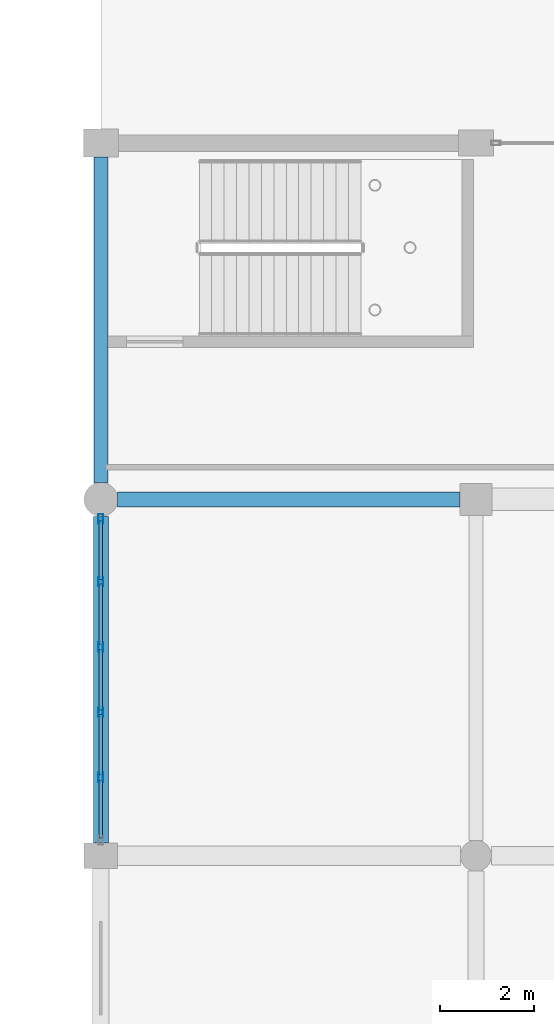
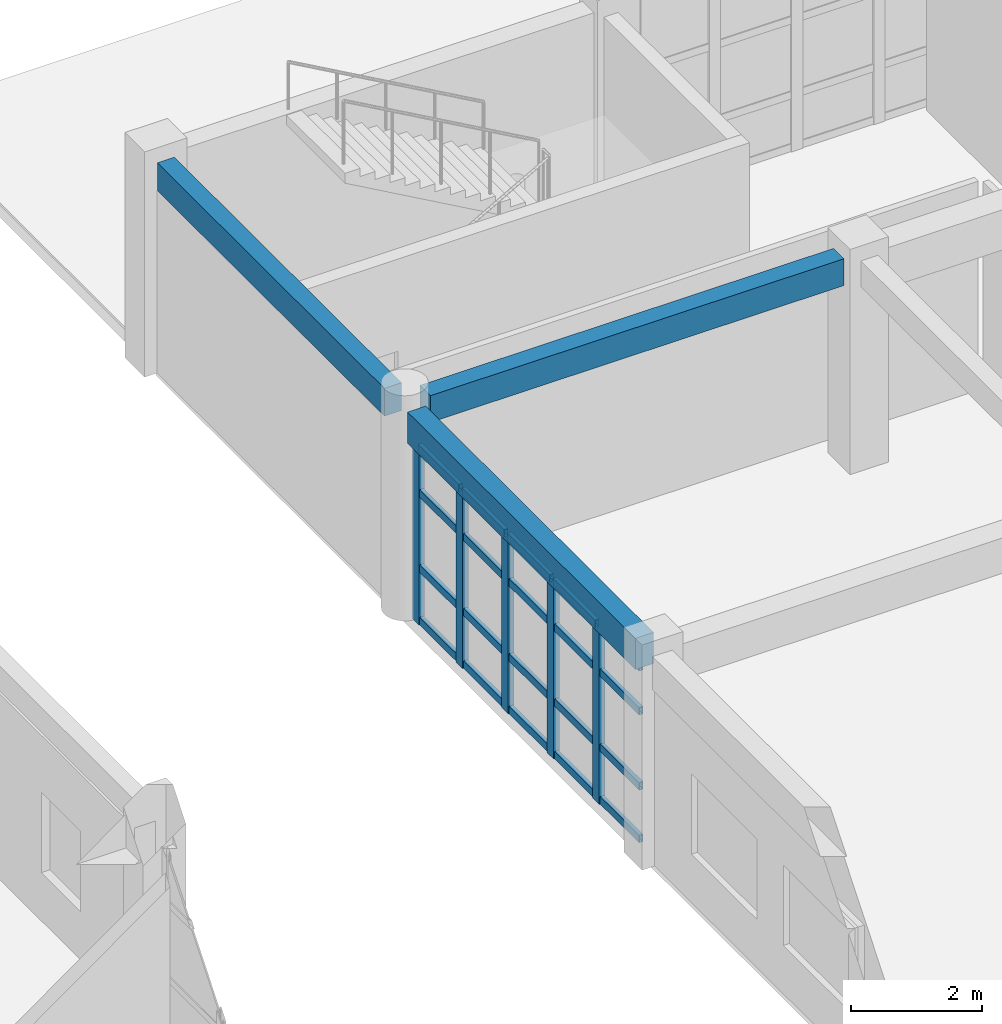
# One storey, part 81 of 195: 25 members, 3 beams, 1 element without a shape of its own.
"""IFC4 building model written with IfcOpenShell, lengths in metres."""

from ifc_helpers import new_model, si_unit, direction, frame, origin, origin_2d, place, context, subcontext, project, spatial, rectangle, hollow_rectangle, extrude, material, material_profile, profile_set, type_object, element, aggregate, save


model = new_model("IFC4")

# Units and contexts
model_context = context("Model", 3, precision=1e-05, world=origin(), true_north=direction((0.0, 1.0)))
body_context = subcontext(model_context, "Body", "Model", "MODEL_VIEW")
ifc_project = project(units=[si_unit("LENGTHUNIT", "METRE"), si_unit("AREAUNIT", "SQUARE_METRE"), si_unit("VOLUMEUNIT", "CUBIC_METRE"), si_unit("PLANEANGLEUNIT", "RADIAN"), si_unit("MASSUNIT", "GRAM", prefix="KILO")], contexts=[model_context])

# Site, building, storey
site_placement = place(None, origin())
site = spatial("IfcSite", under=ifc_project, at=site_placement, CompositionType="ELEMENT")
building_placement = place(site_placement, origin())
building = spatial("IfcBuilding", under=site, at=building_placement, Name="Kharva Crest Polytechnic", CompositionType="ELEMENT")
storey_placement = place(building_placement, frame((0.0, 0.0, 9.0)))
storey = spatial("IfcBuildingStorey", under=building, at=storey_placement, Name="L02", CompositionType="ELEMENT", Elevation=9.0)

# Beam
ifc_material_1 = material(Name="Concrete C35/45", Category="concrete")
ifc_material_profile_1 = material_profile(ifc_material_1, rectangle(XDim=0.320068359375, YDim=0.5, at=origin_2d()), Name="RECT 320 X 500")
ifc_profile_set_1 = profile_set([ifc_material_profile_1], Name="Concrete C35/45")
beam_type_1 = type_object("IfcBeamType", Name="BM-RC-320X500", PredefinedType="BEAM", material=ifc_profile_set_1)
beam_1_placement = place(storey_placement, frame((121.159912109375, 22.800048828125, 3.669921875), z_axis=(1.0, 0.0, 0.0), x_axis=(0.0, 1.0, 0.0)))
element("IfcBeam", 1, at=beam_1_placement, inside=storey, type_object=beam_type_1, Name="L02 Beam D/16J-17", PredefinedType="BEAM", context=body_context, shape_type="SweptSolid", body=[
    extrude(rectangle(XDim=0.320068359375, YDim=0.5, at=origin_2d()), origin(), (0.0, 0.0, 1.0), 7.300048828125),
])

# Curtain wall, members
ifc_material_2 = material(Name="Tempered insulated glass", Category="glass")
curtain_wall_type = type_object("IfcCurtainWallType", Name="CW-SYS-REFECTORY", PredefinedType="USERDEFINED", material=ifc_material_2)
curtain_wall_placement = place(storey_placement, origin())
curtain_wall = element("IfcCurtainWall", 2, at=curtain_wall_placement, inside=storey, type_object=curtain_wall_type, Name="L02 Glazed Curtain Wall CW-092", ObjectType="CURTAIN WALL", PredefinedType="USERDEFINED")
ifc_material_3 = material(Name="Steel S355", Category="steel")
ifc_material_profile_2 = material_profile(ifc_material_3, hollow_rectangle(XDim=0.10009765625, YDim=0.199951171875, WallThickness=0.00634765625, at=origin_2d()), Name="RHS 200X100X6.3")
ifc_profile_set_2 = profile_set([ifc_material_profile_2], Name="Steel S355")
member_type_1 = type_object("IfcMemberType", Name="CWM-RHS200X100", PredefinedType="MULLION", material=ifc_profile_set_2)
member_1_placement = place(storey_placement, frame((120.800048828125, 22.385009765625, 0.0), z_axis=(0.0, 0.0, 1.0), x_axis=(1.0, 0.0, 0.0)))
member_1 = element("IfcMember", 3, at=member_1_placement, type_object=member_type_1, Name="CW-092 mullion 1", PredefinedType="MULLION", context=body_context, shape_type="SweptSolid", body=[
    extrude(hollow_rectangle(XDim=0.10009765625, YDim=0.199951171875, WallThickness=0.00634765625, at=origin_2d()), origin(), (0.0, 0.0, 1.0), 3.340087890625),
])
member_2_placement = place(storey_placement, frame((120.800048828125, 21.0439453125, 0.0), z_axis=(0.0, 0.0, 1.0), x_axis=(1.0, 0.0, 0.0)))
member_2 = element("IfcMember", 4, at=member_2_placement, type_object=member_type_1, Name="CW-092 mullion 2", PredefinedType="MULLION", context=body_context, shape_type="SweptSolid", body=[
    extrude(hollow_rectangle(XDim=0.10009765625, YDim=0.199951171875, WallThickness=0.00634765625, at=origin_2d()), origin(), (0.0, 0.0, 1.0), 3.340087890625),
])
member_3_placement = place(storey_placement, frame((120.800048828125, 19.653076171875, 0.0), z_axis=(0.0, 0.0, 1.0), x_axis=(1.0, 0.0, 0.0)))
member_3 = element("IfcMember", 5, at=member_3_placement, type_object=member_type_1, Name="CW-092 mullion 3", PredefinedType="MULLION", context=body_context, shape_type="SweptSolid", body=[
    extrude(hollow_rectangle(XDim=0.10009765625, YDim=0.199951171875, WallThickness=0.00634765625, at=origin_2d()), origin(), (0.0, 0.0, 1.0), 3.340087890625),
])
member_4_placement = place(storey_placement, frame((120.800048828125, 18.261962890625, 0.0), z_axis=(0.0, 0.0, 1.0), x_axis=(1.0, 0.0, 0.0)))
member_4 = element("IfcMember", 6, at=member_4_placement, type_object=member_type_1, Name="CW-092 mullion 4", PredefinedType="MULLION", context=body_context, shape_type="SweptSolid", body=[
    extrude(hollow_rectangle(XDim=0.10009765625, YDim=0.199951171875, WallThickness=0.00634765625, at=origin_2d()), origin(), (0.0, 0.0, 1.0), 3.340087890625),
])
member_5_placement = place(storey_placement, frame((120.800048828125, 16.87109375, 0.0), z_axis=(0.0, 0.0, 1.0), x_axis=(1.0, 0.0, 0.0)))
member_5 = element("IfcMember", 7, at=member_5_placement, type_object=member_type_1, Name="CW-092 mullion 5", PredefinedType="MULLION", context=body_context, shape_type="SweptSolid", body=[
    extrude(hollow_rectangle(XDim=0.10009765625, YDim=0.199951171875, WallThickness=0.00634765625, at=origin_2d()), origin(), (0.0, 0.0, 1.0), 3.340087890625),
])
ifc_material_profile_3 = material_profile(ifc_material_3, hollow_rectangle(XDim=0.070068359375, YDim=0.139892578125, WallThickness=0.00390625, at=origin_2d()), Name="RHS 140X70X4.0")
ifc_profile_set_3 = profile_set([ifc_material_profile_3], Name="Steel S355")
member_type_2 = type_object("IfcMemberType", Name="CWT-RHS140X70", PredefinedType="USERDEFINED", material=ifc_profile_set_3)
member_6_placement = place(storey_placement, frame((120.800048828125, 22.3349609375, 0.070068359375), z_axis=(0.0, -1.0, 0.0), x_axis=(1.0, 0.0, 0.0)))
member_6 = element("IfcMember", 8, at=member_6_placement, type_object=member_type_2, Name="CW-092 transom 1.1", ObjectType="TRANSOM", PredefinedType="USERDEFINED", context=body_context, shape_type="SweptSolid", body=[
    extrude(hollow_rectangle(XDim=0.070068359375, YDim=0.139892578125, WallThickness=0.00390625, at=origin_2d()), origin(), (0.0, 0.0, 1.0), 1.240966796875),
])
member_7_placement = place(storey_placement, frame((120.800048828125, 22.3349609375, 1.050048828125), z_axis=(0.0, -1.0, 0.0), x_axis=(1.0, 0.0, 0.0)))
member_7 = element("IfcMember", 9, at=member_7_placement, type_object=member_type_2, Name="CW-092 transom 1.2", ObjectType="TRANSOM", PredefinedType="USERDEFINED", context=body_context, shape_type="SweptSolid", body=[
    extrude(hollow_rectangle(XDim=0.070068359375, YDim=0.139892578125, WallThickness=0.00390625, at=origin_2d()), origin(), (0.0, 0.0, 1.0), 1.240966796875),
])
member_8_placement = place(storey_placement, frame((120.800048828125, 22.3349609375, 2.449951171875), z_axis=(0.0, -1.0, 0.0), x_axis=(1.0, 0.0, 0.0)))
member_8 = element("IfcMember", 10, at=member_8_placement, type_object=member_type_2, Name="CW-092 transom 1.3", ObjectType="TRANSOM", PredefinedType="USERDEFINED", context=body_context, shape_type="SweptSolid", body=[
    extrude(hollow_rectangle(XDim=0.070068359375, YDim=0.139892578125, WallThickness=0.00390625, at=origin_2d()), origin(), (0.0, 0.0, 1.0), 1.240966796875),
])
member_9_placement = place(storey_placement, frame((120.800048828125, 22.3349609375, 3.27001953125), z_axis=(0.0, -1.0, 0.0), x_axis=(1.0, 0.0, 0.0)))
member_9 = element("IfcMember", 11, at=member_9_placement, type_object=member_type_2, Name="CW-092 transom 1.4", ObjectType="TRANSOM", PredefinedType="USERDEFINED", context=body_context, shape_type="SweptSolid", body=[
    extrude(hollow_rectangle(XDim=0.070068359375, YDim=0.139892578125, WallThickness=0.00390625, at=origin_2d()), origin(), (0.0, 0.0, 1.0), 1.240966796875),
])
member_10_placement = place(storey_placement, frame((120.800048828125, 20.993896484375, 0.070068359375), z_axis=(0.0, -1.0, 0.0), x_axis=(1.0, 0.0, 0.0)))
member_10 = element("IfcMember", 12, at=member_10_placement, type_object=member_type_2, Name="CW-092 transom 2.1", ObjectType="TRANSOM", PredefinedType="USERDEFINED", context=body_context, shape_type="SweptSolid", body=[
    extrude(hollow_rectangle(XDim=0.070068359375, YDim=0.139892578125, WallThickness=0.00390625, at=origin_2d()), origin(), (0.0, 0.0, 1.0), 1.291015625),
])
member_11_placement = place(storey_placement, frame((120.800048828125, 20.993896484375, 1.050048828125), z_axis=(0.0, -1.0, 0.0), x_axis=(1.0, 0.0, 0.0)))
member_11 = element("IfcMember", 13, at=member_11_placement, type_object=member_type_2, Name="CW-092 transom 2.2", ObjectType="TRANSOM", PredefinedType="USERDEFINED", context=body_context, shape_type="SweptSolid", body=[
    extrude(hollow_rectangle(XDim=0.070068359375, YDim=0.139892578125, WallThickness=0.00390625, at=origin_2d()), origin(), (0.0, 0.0, 1.0), 1.291015625),
])
member_12_placement = place(storey_placement, frame((120.800048828125, 20.993896484375, 2.449951171875), z_axis=(0.0, -1.0, 0.0), x_axis=(1.0, 0.0, 0.0)))
member_12 = element("IfcMember", 14, at=member_12_placement, type_object=member_type_2, Name="CW-092 transom 2.3", ObjectType="TRANSOM", PredefinedType="USERDEFINED", context=body_context, shape_type="SweptSolid", body=[
    extrude(hollow_rectangle(XDim=0.070068359375, YDim=0.139892578125, WallThickness=0.00390625, at=origin_2d()), origin(), (0.0, 0.0, 1.0), 1.291015625),
])
member_13_placement = place(storey_placement, frame((120.800048828125, 20.993896484375, 3.27001953125), z_axis=(0.0, -1.0, 0.0), x_axis=(1.0, 0.0, 0.0)))
member_13 = element("IfcMember", 15, at=member_13_placement, type_object=member_type_2, Name="CW-092 transom 2.4", ObjectType="TRANSOM", PredefinedType="USERDEFINED", context=body_context, shape_type="SweptSolid", body=[
    extrude(hollow_rectangle(XDim=0.070068359375, YDim=0.139892578125, WallThickness=0.00390625, at=origin_2d()), origin(), (0.0, 0.0, 1.0), 1.291015625),
])
member_14_placement = place(storey_placement, frame((120.800048828125, 19.60302734375, 0.070068359375), z_axis=(0.0, -1.0, 0.0), x_axis=(1.0, 0.0, 0.0)))
member_14 = element("IfcMember", 16, at=member_14_placement, type_object=member_type_2, Name="CW-092 transom 3.1", ObjectType="TRANSOM", PredefinedType="USERDEFINED", context=body_context, shape_type="SweptSolid", body=[
    extrude(hollow_rectangle(XDim=0.070068359375, YDim=0.139892578125, WallThickness=0.00390625, at=origin_2d()), origin(), (0.0, 0.0, 1.0), 1.291015625),
])
member_15_placement = place(storey_placement, frame((120.800048828125, 19.60302734375, 1.050048828125), z_axis=(0.0, -1.0, 0.0), x_axis=(1.0, 0.0, 0.0)))
member_15 = element("IfcMember", 17, at=member_15_placement, type_object=member_type_2, Name="CW-092 transom 3.2", ObjectType="TRANSOM", PredefinedType="USERDEFINED", context=body_context, shape_type="SweptSolid", body=[
    extrude(hollow_rectangle(XDim=0.070068359375, YDim=0.139892578125, WallThickness=0.00390625, at=origin_2d()), origin(), (0.0, 0.0, 1.0), 1.291015625),
])
member_16_placement = place(storey_placement, frame((120.800048828125, 19.60302734375, 2.449951171875), z_axis=(0.0, -1.0, 0.0), x_axis=(1.0, 0.0, 0.0)))
member_16 = element("IfcMember", 18, at=member_16_placement, type_object=member_type_2, Name="CW-092 transom 3.3", ObjectType="TRANSOM", PredefinedType="USERDEFINED", context=body_context, shape_type="SweptSolid", body=[
    extrude(hollow_rectangle(XDim=0.070068359375, YDim=0.139892578125, WallThickness=0.00390625, at=origin_2d()), origin(), (0.0, 0.0, 1.0), 1.291015625),
])
member_17_placement = place(storey_placement, frame((120.800048828125, 19.60302734375, 3.27001953125), z_axis=(0.0, -1.0, 0.0), x_axis=(1.0, 0.0, 0.0)))
member_17 = element("IfcMember", 19, at=member_17_placement, type_object=member_type_2, Name="CW-092 transom 3.4", ObjectType="TRANSOM", PredefinedType="USERDEFINED", context=body_context, shape_type="SweptSolid", body=[
    extrude(hollow_rectangle(XDim=0.070068359375, YDim=0.139892578125, WallThickness=0.00390625, at=origin_2d()), origin(), (0.0, 0.0, 1.0), 1.291015625),
])
member_18_placement = place(storey_placement, frame((120.800048828125, 18.2119140625, 0.070068359375), z_axis=(0.0, -1.0, 0.0), x_axis=(1.0, 0.0, 0.0)))
member_18 = element("IfcMember", 20, at=member_18_placement, type_object=member_type_2, Name="CW-092 transom 4.1", ObjectType="TRANSOM", PredefinedType="USERDEFINED", context=body_context, shape_type="SweptSolid", body=[
    extrude(hollow_rectangle(XDim=0.070068359375, YDim=0.139892578125, WallThickness=0.00390625, at=origin_2d()), origin(), (0.0, 0.0, 1.0), 1.291015625),
])
member_19_placement = place(storey_placement, frame((120.800048828125, 18.2119140625, 1.050048828125), z_axis=(0.0, -1.0, 0.0), x_axis=(1.0, 0.0, 0.0)))
member_19 = element("IfcMember", 21, at=member_19_placement, type_object=member_type_2, Name="CW-092 transom 4.2", ObjectType="TRANSOM", PredefinedType="USERDEFINED", context=body_context, shape_type="SweptSolid", body=[
    extrude(hollow_rectangle(XDim=0.070068359375, YDim=0.139892578125, WallThickness=0.00390625, at=origin_2d()), origin(), (0.0, 0.0, 1.0), 1.291015625),
])
member_20_placement = place(storey_placement, frame((120.800048828125, 18.2119140625, 2.449951171875), z_axis=(0.0, -1.0, 0.0), x_axis=(1.0, 0.0, 0.0)))
member_20 = element("IfcMember", 22, at=member_20_placement, type_object=member_type_2, Name="CW-092 transom 4.3", ObjectType="TRANSOM", PredefinedType="USERDEFINED", context=body_context, shape_type="SweptSolid", body=[
    extrude(hollow_rectangle(XDim=0.070068359375, YDim=0.139892578125, WallThickness=0.00390625, at=origin_2d()), origin(), (0.0, 0.0, 1.0), 1.291015625),
])
member_21_placement = place(storey_placement, frame((120.800048828125, 18.2119140625, 3.27001953125), z_axis=(0.0, -1.0, 0.0), x_axis=(1.0, 0.0, 0.0)))
member_21 = element("IfcMember", 23, at=member_21_placement, type_object=member_type_2, Name="CW-092 transom 4.4", ObjectType="TRANSOM", PredefinedType="USERDEFINED", context=body_context, shape_type="SweptSolid", body=[
    extrude(hollow_rectangle(XDim=0.070068359375, YDim=0.139892578125, WallThickness=0.00390625, at=origin_2d()), origin(), (0.0, 0.0, 1.0), 1.291015625),
])
member_22_placement = place(storey_placement, frame((120.800048828125, 16.821044921875, 0.070068359375), z_axis=(0.0, -1.0, 0.0), x_axis=(1.0, 0.0, 0.0)))
member_22 = element("IfcMember", 24, at=member_22_placement, type_object=member_type_2, Name="CW-092 transom 5.1", ObjectType="TRANSOM", PredefinedType="USERDEFINED", context=body_context, shape_type="SweptSolid", body=[
    extrude(hollow_rectangle(XDim=0.070068359375, YDim=0.139892578125, WallThickness=0.00390625, at=origin_2d()), origin(), (0.0, 0.0, 1.0), 1.240966796875),
])
member_23_placement = place(storey_placement, frame((120.800048828125, 16.821044921875, 1.050048828125), z_axis=(0.0, -1.0, 0.0), x_axis=(1.0, 0.0, 0.0)))
member_23 = element("IfcMember", 25, at=member_23_placement, type_object=member_type_2, Name="CW-092 transom 5.2", ObjectType="TRANSOM", PredefinedType="USERDEFINED", context=body_context, shape_type="SweptSolid", body=[
    extrude(hollow_rectangle(XDim=0.070068359375, YDim=0.139892578125, WallThickness=0.00390625, at=origin_2d()), origin(), (0.0, 0.0, 1.0), 1.240966796875),
])
member_24_placement = place(storey_placement, frame((120.800048828125, 16.821044921875, 2.449951171875), z_axis=(0.0, -1.0, 0.0), x_axis=(1.0, 0.0, 0.0)))
member_24 = element("IfcMember", 26, at=member_24_placement, type_object=member_type_2, Name="CW-092 transom 5.3", ObjectType="TRANSOM", PredefinedType="USERDEFINED", context=body_context, shape_type="SweptSolid", body=[
    extrude(hollow_rectangle(XDim=0.070068359375, YDim=0.139892578125, WallThickness=0.00390625, at=origin_2d()), origin(), (0.0, 0.0, 1.0), 1.240966796875),
])
member_25_placement = place(storey_placement, frame((120.800048828125, 16.821044921875, 3.27001953125), z_axis=(0.0, -1.0, 0.0), x_axis=(1.0, 0.0, 0.0)))
member_25 = element("IfcMember", 27, at=member_25_placement, type_object=member_type_2, Name="CW-092 transom 5.4", ObjectType="TRANSOM", PredefinedType="USERDEFINED", context=body_context, shape_type="SweptSolid", body=[
    extrude(hollow_rectangle(XDim=0.070068359375, YDim=0.139892578125, WallThickness=0.00390625, at=origin_2d()), origin(), (0.0, 0.0, 1.0), 1.240966796875),
])
aggregate(curtain_wall, [member_1, member_2, member_3, member_4, member_5, member_6, member_7, member_8, member_9, member_10, member_11, member_12, member_13, member_14, member_15, member_16, member_17, member_18, member_19, member_20, member_21, member_22, member_23, member_24, member_25])

# Beams
ifc_material_profile_4 = material_profile(ifc_material_1, rectangle(XDim=0.300048828125, YDim=0.52001953125, at=origin_2d()), Name="RECT 300 X 520")
ifc_profile_set_4 = profile_set([ifc_material_profile_4], Name="Concrete C35/45")
beam_type_2 = type_object("IfcBeamType", Name="SP-RC-300X520", PredefinedType="SPANDREL", material=ifc_profile_set_4)
beam_2_placement = place(storey_placement, frame((120.800048828125, 23.159912109375, 3.659912109375), z_axis=(0.0, 1.0, 0.0), x_axis=(-1.0, 0.0, 0.0)))
element("IfcBeam", 28, at=beam_2_placement, inside=storey, type_object=beam_type_2, Name="L02 Girder 16J/D-E", PredefinedType="SPANDREL", context=body_context, shape_type="SweptSolid", body=[
    extrude(rectangle(XDim=0.300048828125, YDim=0.52001953125, at=origin_2d()), origin(), (0.0, 0.0, 1.0), 6.940185546875),
])
ifc_material_profile_5 = material_profile(ifc_material_1, rectangle(XDim=0.320068359375, YDim=0.580078125, at=origin_2d()), Name="RECT 320 X 580")
ifc_profile_set_5 = profile_set([ifc_material_profile_5], Name="Concrete C35/45")
beam_type_3 = type_object("IfcBeamType", Name="SP-RC-320X580", PredefinedType="SPANDREL", material=ifc_profile_set_5)
beam_3_placement = place(storey_placement, frame((120.800048828125, 15.47509765625, 3.6298828125), z_axis=(0.0, 1.0, 0.0), x_axis=(-1.0, 0.0, 0.0)))
element("IfcBeam", 29, at=beam_3_placement, inside=storey, type_object=beam_type_3, Name="L02 Girder 16J/C-D", PredefinedType="SPANDREL", context=body_context, shape_type="SweptSolid", body=[
    extrude(rectangle(XDim=0.320068359375, YDim=0.580078125, at=origin_2d()), origin(), (0.0, 0.0, 1.0), 6.96484375),
])

save(model, "model.ifc")
